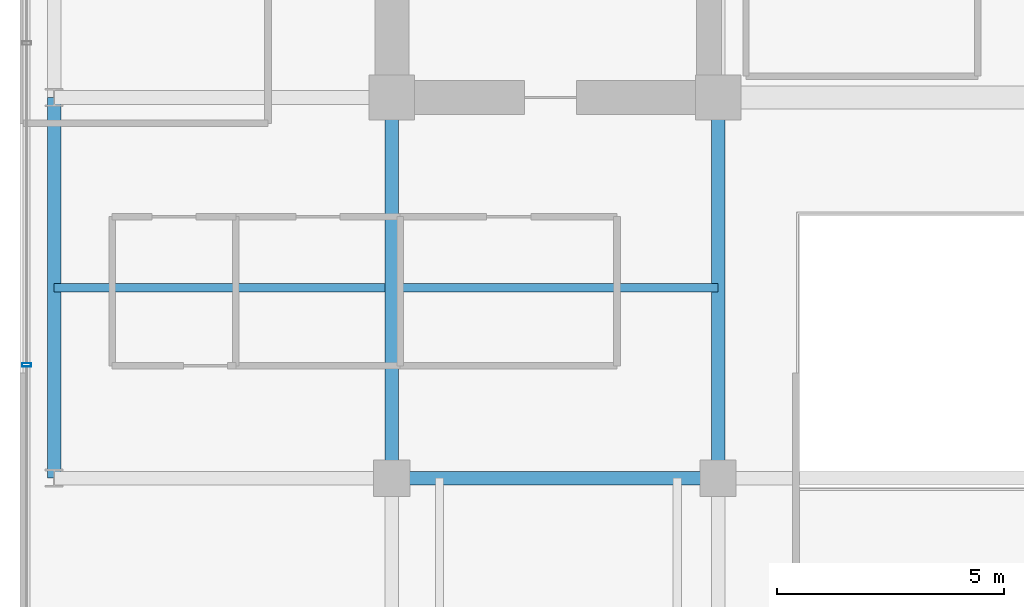
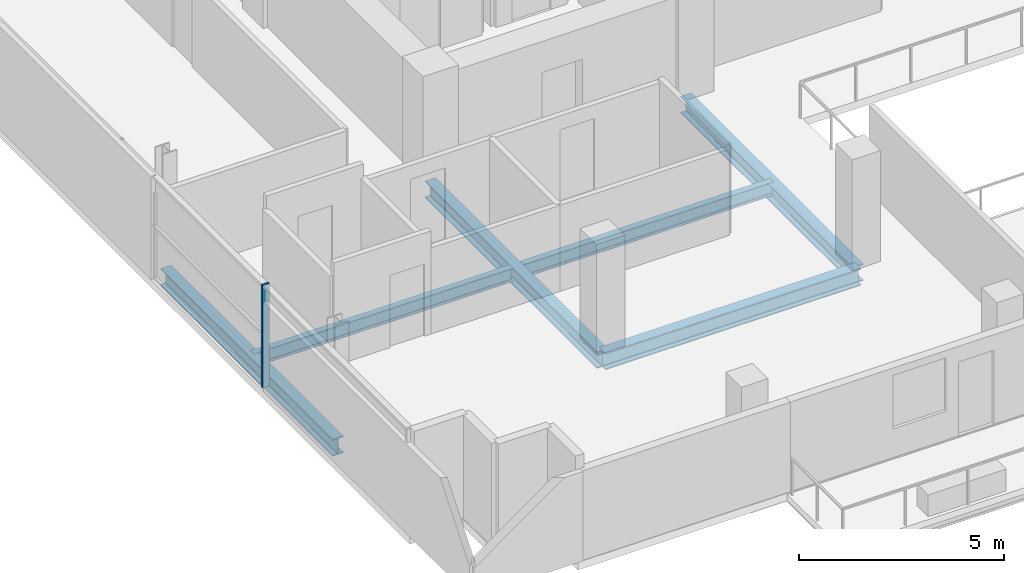
# One storey, part 4 of 21: 6 beams, 1 member, 1 element without a shape of its own.
"""IFC4 building model written with IfcOpenShell, lengths in metres."""

from ifc_helpers import new_model, si_unit, direction, frame, origin, origin_2d, place, context, subcontext, project, spatial, hollow_rectangle, i_section, extrude, source, transform, mapped, material, layer, layer_set, material_profile, profile_set, type_object, element, aggregate, save


model = new_model("IFC4")

# Units and contexts
model_context = context("Model", 3, precision=1e-05, world=origin(), true_north=direction((0.0, 1.0)))
body_context = subcontext(model_context, "Body", "Model", "MODEL_VIEW")
ifc_project = project(units=[si_unit("LENGTHUNIT", "METRE"), si_unit("AREAUNIT", "SQUARE_METRE"), si_unit("VOLUMEUNIT", "CUBIC_METRE"), si_unit("PLANEANGLEUNIT", "RADIAN"), si_unit("MASSUNIT", "GRAM", prefix="KILO")], contexts=[model_context])

# Site, building, storey
site_placement = place(None, origin())
site = spatial("IfcSite", under=ifc_project, at=site_placement, CompositionType="ELEMENT")
building_placement = place(site_placement, origin())
building = spatial("IfcBuilding", under=site, at=building_placement, Name="Zarnakvel Exchange Tower", CompositionType="ELEMENT")
storey_placement = place(building_placement, frame((0.0, 0.0, 189.10009765625)))
storey = spatial("IfcBuildingStorey", under=building, at=storey_placement, Name="L53", CompositionType="ELEMENT", Elevation=189.10009765625)

# Beams
ifc_material_1 = material(Name="Steel S355", Category="steel")
ifc_material_profile_1 = material_profile(ifc_material_1, i_section(OverallWidth=0.179931640625, OverallDepth=0.39990234375, WebThickness=0.008544921875, FlangeThickness=0.013427734375, FilletRadius=0.02099609375, at=origin_2d()))
ifc_profile_set_1 = profile_set([ifc_material_profile_1], Name="Steel S355")
beam_type_1 = type_object("IfcBeamType", Name="B-06", PredefinedType="JOIST", material=ifc_profile_set_1)
beam_1_placement = place(storey_placement, frame((-21.85009765625, -5.39990234375, -0.425048828125), z_axis=(1.0, 0.0, 0.0), x_axis=(0.0, 1.0, 0.0)))
element("IfcBeam", 1, at=beam_1_placement, inside=storey, type_object=beam_type_1, Name="L53 Composite Floor Secondary Joist", PredefinedType="JOIST", context=body_context, shape_type="SweptSolid", body=[
    extrude(i_section(OverallWidth=0.179931640625, OverallDepth=0.39990234375, WebThickness=0.008544921875, FlangeThickness=0.013427734375, FilletRadius=0.02099609375, at=origin_2d()), origin(), (0.0, 0.0, 1.0), 7.300048828125),
])
beam_2_placement = place(storey_placement, frame((-14.25, -5.39990234375, -0.425048828125), z_axis=(1.0, 0.0, 0.0), x_axis=(0.0, 1.0, 0.0)))
element("IfcBeam", 2, at=beam_2_placement, inside=storey, type_object=beam_type_1, Name="L53 Composite Floor Secondary Joist", PredefinedType="JOIST", context=body_context, shape_type="SweptSolid", body=[
    extrude(i_section(OverallWidth=0.179931640625, OverallDepth=0.39990234375, WebThickness=0.008544921875, FlangeThickness=0.013427734375, FilletRadius=0.02099609375, at=origin_2d()), origin(), (0.0, 0.0, 1.0), 7.050048828125),
])
ifc_material_profile_2 = material_profile(ifc_material_1, i_section(OverallWidth=0.300048828125, OverallDepth=0.5, WebThickness=0.014404296875, FlangeThickness=0.028076171875, FilletRadius=0.027099609375, at=origin_2d()))
ifc_profile_set_2 = profile_set([ifc_material_profile_2], Name="Steel S355")
beam_type_2 = type_object("IfcBeamType", Name="G-06", PredefinedType="BEAM", material=ifc_profile_set_2)
beam_3_placement = place(storey_placement, frame((-14.39990234375, -9.60009765625, -0.47509765625), z_axis=(1.0, 0.0, 0.0), x_axis=(0.0, 1.0, 0.0)))
element("IfcBeam", 3, at=beam_3_placement, inside=storey, type_object=beam_type_2, Name="L53 Tower E-W Frame Beam", PredefinedType="BEAM", context=body_context, shape_type="SweptSolid", body=[
    extrude(i_section(OverallWidth=0.300048828125, OverallDepth=0.5, WebThickness=0.014404296875, FlangeThickness=0.028076171875, FilletRadius=0.027099609375, at=origin_2d()), origin(), (0.0, 0.0, 1.0), 7.199951171875),
])
for number, where, z_axis, x_axis, name in (
    (4, (-14.39990234375, -9.60009765625, -0.47509765625), (0.0, 1.0, 0.0), (-1.0, 0.0, 0.0), "L53 Tower N-S Frame Beam"),
    (5, (-7.199951171875, -9.60009765625, -0.47509765625), (0.0, 1.0, 0.0), (-1.0, 0.0, 0.0), "L53 Tower N-S Frame Beam"),
):
    element("IfcBeam", number, at=place(storey_placement, frame(where, z_axis=z_axis, x_axis=x_axis)), inside=storey, type_object=beam_type_2, Name=name, PredefinedType="BEAM", context=body_context, shape_type="SweptSolid", body=[
        extrude(i_section(OverallWidth=0.300048828125, OverallDepth=0.5, WebThickness=0.014404296875, FlangeThickness=0.028076171875, FilletRadius=0.027099609375, at=origin_2d()), origin(), (0.0, 0.0, 1.0), 8.400146484375),
    ])
ifc_material_profile_3 = material_profile(ifc_material_1, i_section(OverallWidth=0.300048828125, OverallDepth=0.5, WebThickness=0.014404296875, FlangeThickness=0.028076171875, FilletRadius=0.027099609375, at=origin_2d()))
ifc_profile_set_3 = profile_set([ifc_material_profile_3], Name="Steel S355")
beam_type_3 = type_object("IfcBeamType", Name="SP-02", PredefinedType="SPANDREL", material=ifc_profile_set_3)
beam_4_placement = place(storey_placement, frame((-21.85009765625, -9.60009765625, -0.47509765625), z_axis=(0.0, 1.0, 0.0), x_axis=(-1.0, 0.0, 0.0)))
element("IfcBeam", 6, at=beam_4_placement, inside=storey, type_object=beam_type_3, Name="L53 Tower N-S Frame Beam", PredefinedType="SPANDREL", context=body_context, shape_type="SweptSolid", body=[
    extrude(i_section(OverallWidth=0.300048828125, OverallDepth=0.5, WebThickness=0.014404296875, FlangeThickness=0.028076171875, FilletRadius=0.027099609375, at=origin_2d()), origin(), (0.0, 0.0, 1.0), 8.400146484375),
])

# Curtain wall, member
ifc_material_2 = material(Name="Architectural Bronze Anodised Aluminium", Category="aluminium")
ifc_layer = layer(ifc_material_2, 0.199951171875)
ifc_layer_set = layer_set([ifc_layer], Name="Architectural Bronze Anodised Aluminium")
curtain_wall_type = type_object("IfcCurtainWallType", Name="CW-04", PredefinedType="NOTDEFINED", material=ifc_layer_set)
curtain_wall_placement = place(storey_placement, origin())
curtain_wall = element("IfcCurtainWall", 7, at=curtain_wall_placement, inside=storey, type_object=curtain_wall_type, Name="L53 Curtain Wall CW-L53-W1 (CW-04)", PredefinedType="NOTDEFINED")
ifc_material_profile_4 = material_profile(ifc_material_2, hollow_rectangle(XDim=0.199951171875, YDim=0.074951171875, WallThickness=0.0048828125, at=origin_2d()))
ifc_profile_set_4 = profile_set([ifc_material_profile_4], Name="Architectural Bronze Anodised Aluminium")
member_type = type_object("IfcMemberType", Name="CWM-04", PredefinedType="MULLION", material=ifc_profile_set_4)
shared_shape = source(origin(), body_context, "Body", "SweptSolid", [
    extrude(hollow_rectangle(XDim=0.199951171875, YDim=0.074951171875, WallThickness=0.0048828125, at=origin_2d()), origin(), (0.0, 0.0, 1.0), 3.054931640625),
])
member_placement = place(storey_placement, frame((-22.4599609375, -7.10009765625, 0.0), z_axis=(0.0, 0.0, 1.0), x_axis=(-1.0, 0.0, 0.0)))
member = element("IfcMember", 8, at=member_placement, type_object=member_type, Name="CW-04 mullion 2", PredefinedType="MULLION", context=body_context, shape_type="MappedRepresentation", body=[
    mapped(shared_shape, transform((0.0, 0.0, 0.0), x_axis=(1.0, 0.0, 0.0), y_axis=(0.0, 1.0, 0.0), z_axis=(0.0, 0.0, 1.0), scale=1.0)),
])
aggregate(curtain_wall, [member])

save(model, "model.ifc")
